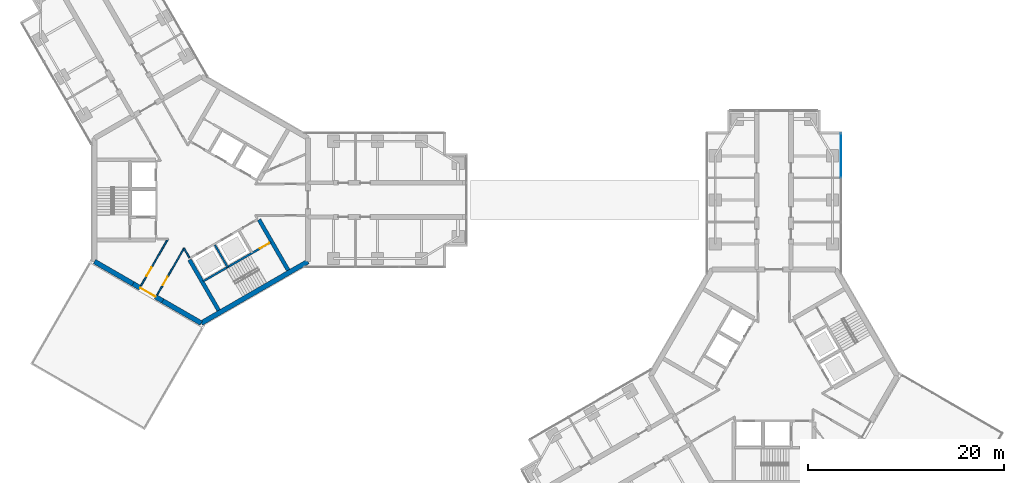
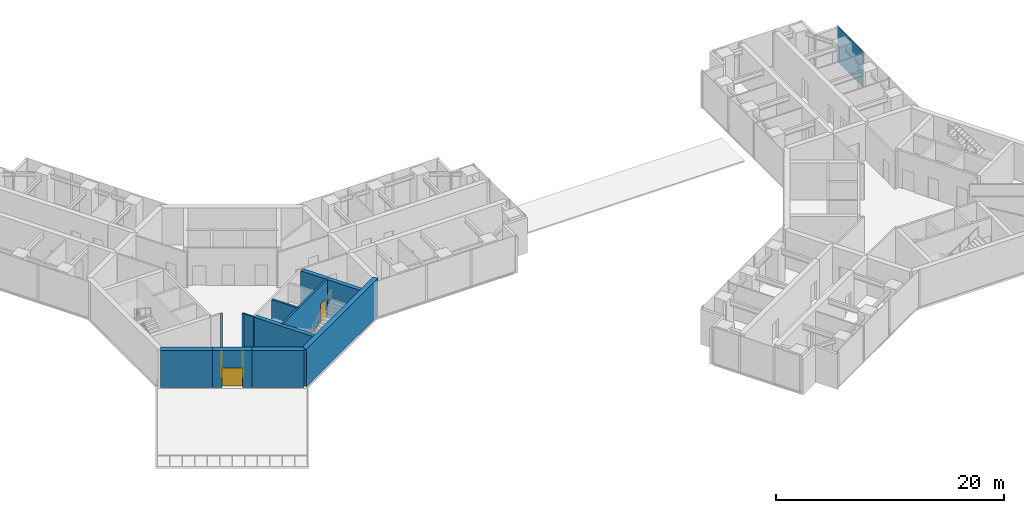
# One storey, part 11 of 18: 11 walls, 4 doors, 1 plate, 4 openings, 1 element without a shape of its own.
"""IFC4 building model written with IfcOpenShell, lengths in metres."""

from ifc_helpers import new_model, si_unit, direction, frame, frame_2d, origin, origin_2d, place, context, subcontext, project, spatial, rectangle, extrude, material, layer, layer_set, type_object, element, fill, aggregate, save


model = new_model("IFC4")

# Units and contexts
model_context = context("Model", 3, precision=1e-05, world=origin(), true_north=direction((0.0, 1.0)))
body_context = subcontext(model_context, "Body", "Model", "MODEL_VIEW")
ifc_project = project(units=[si_unit("LENGTHUNIT", "METRE"), si_unit("AREAUNIT", "SQUARE_METRE"), si_unit("VOLUMEUNIT", "CUBIC_METRE"), si_unit("PLANEANGLEUNIT", "RADIAN"), si_unit("MASSUNIT", "GRAM", prefix="KILO")], contexts=[model_context])

# Site, building, storey
site_placement = place(None, origin())
site = spatial("IfcSite", under=ifc_project, at=site_placement, CompositionType="ELEMENT")
building_placement = place(site_placement, origin())
building = spatial("IfcBuilding", under=site, at=building_placement, Name="Upepo Twin Towers", CompositionType="ELEMENT")
storey_placement = place(building_placement, frame((0.0, 0.0, 170.5)))
storey = spatial("IfcBuildingStorey", under=building, at=storey_placement, Name="L41", CompositionType="ELEMENT", Elevation=170.5)

# Curtain wall, plate
ifc_material_1 = material(Name="Aluminium and fritted glass", Category="aluminium")
curtain_wall_type = type_object("IfcCurtainWallType", Name="Tower curtain wall TW3, fritted glass", PredefinedType="NOTDEFINED", material=ifc_material_1)
curtain_wall_placement = place(storey_placement, origin())
curtain_wall = element("IfcCurtainWall", 1, at=curtain_wall_placement, inside=storey, type_object=curtain_wall_type, Name="T2 L41 wing A flank R curtain wall", PredefinedType="NOTDEFINED")
ifc_material_2 = material(Name="Ceramic-fritted laminated glass", Category="glass")
ifc_layer_1 = layer(ifc_material_2, 0.031982421875)
ifc_layer_set_1 = layer_set([ifc_layer_1], Name="Fritted glass panel, 45 per cent dot frit, 32 mm double glazed")
plate_type = type_object("IfcPlateType", Name="Fritted glass panel, 45 per cent dot frit, 32 mm double glazed", PredefinedType="CURTAIN_PANEL", material=ifc_layer_set_1)
plate_placement = place(storey_placement, frame((65.35009765625, 4.53369140625, 0.14990234375), z_axis=(0.0, 0.0, 1.0), x_axis=(0.0, -1.0, 0.0)))
plate = element("IfcPlate", 2, at=plate_placement, type_object=plate_type, Name="T2 L41 wing A flank R curtain wall panel 1", PredefinedType="CURTAIN_PANEL", context=body_context, shape_type="SweptSolid", body=[
    extrude(rectangle(XDim=4.50244140625, YDim=0.031982421875, at=origin_2d()), origin(), (0.0, 0.0, 1.0), 3.85009765625),
])
aggregate(curtain_wall, [plate])

# Wall
ifc_material_3 = material(Name="Concrete C60/75", Category="concrete")
ifc_layer_2 = layer(ifc_material_3, 0.5)
ifc_layer_set_2 = layer_set([ifc_layer_2], Name="Concrete C60/75")
wall_type_1 = type_object("IfcWallType", Name="Core wall 500 RC", PredefinedType="SHEAR", material=ifc_layer_set_2)
wall_1_placement = place(storey_placement, frame((-10.908447265625, -6.2978515625, 0.0), z_axis=(0.0, 0.0, 1.0), x_axis=(0.866034513004, -0.499984222037, 0.0)))
element("IfcWall", 3, at=wall_1_placement, inside=storey, type_object=wall_type_1, Name="T1 core wall 240 R", PredefinedType="SHEAR", context=body_context, shape_type="SweptSolid", body=[
    extrude(rectangle(XDim=4.548095703125, YDim=0.5, at=frame_2d((2.27392578125, 0.0))), origin(), (0.0, 0.0, 1.0), 4.0),
])

# Wall, opening, door
wall_2_placement = place(storey_placement, frame((-6.9697265625, -8.57177734375, 0.0), z_axis=(0.0, 0.0, 1.0), x_axis=(0.866019471182, -0.500010275428, 0.0)))
wall_2 = element("IfcWall", 4, at=wall_2_placement, inside=storey, type_object=wall_type_1, Name="T1 core wall 240", PredefinedType="SHEAR", context=body_context, shape_type="SweptSolid", body=[
    extrude(rectangle(XDim=3.5, YDim=0.5, at=frame_2d((1.75, 0.0))), origin(), (0.0, 0.0, 1.0), 4.0),
])
opening_1_placement = place(wall_2_placement, frame((0.85009765625, 0.0, 0.0)))
opening_1 = element("IfcOpeningElement", 5, at=opening_1_placement, cuts=wall_2, Name="Opening D2", PredefinedType="OPENING", context=body_context, shape_type="SweptSolid", body=[
    extrude(rectangle(XDim=1.800048828125, YDim=2.10009765625, at=frame_2d((0.89990234375, 1.050048828125))), frame((0.0, 0.260009765625, 0.0), z_axis=(0.0, -1.0, 0.0), x_axis=(1.0, 0.0, 0.0)), (0.0, 0.0, 1.0), 0.52001953125),
])
ifc_material_4 = material(Name="Timber doorset", Category="wood")
door_type_1 = type_object("IfcDoorType", Name="Corridor double door 1800 FD60", OperationType="DOUBLE_DOOR_DOUBLE_SWING", PredefinedType="DOOR", material=ifc_material_4)
door_1_placement = place(opening_1_placement, origin())
door_1 = element("IfcDoor", 6, at=door_1_placement, inside=storey, type_object=door_type_1, Name="T1 L41 sky terrace door", OperationType="DOUBLE_DOOR_DOUBLE_SWING", OverallHeight=2.10009765625, OverallWidth=1.800048828125, PredefinedType="DOOR", context=body_context, shape_type="SweptSolid", body=[
    extrude(rectangle(XDim=1.800048828125, YDim=2.10009765625, at=frame_2d((0.89990234375, 1.050048828125))), frame((0.0, 0.02490234375, 0.0), z_axis=(0.0, -1.0, 0.0), x_axis=(1.0, 0.0, 0.0)), (0.0, 0.0, 1.0), 0.050048828125),
])
fill(opening_1, door_1)

# Walls
wall_3_placement = place(storey_placement, frame((-3.938720703125, -10.32177734375, 0.0), z_axis=(0.0, 0.0, 1.0), x_axis=(0.866011268655, -0.500024481964, 0.0)))
element("IfcWall", 7, at=wall_3_placement, inside=storey, type_object=wall_type_1, Name="T1 core wall 240 L", PredefinedType="SHEAR", context=body_context, shape_type="SweptSolid", body=[
    extrude(rectangle(XDim=4.548095703125, YDim=0.5, at=frame_2d((2.27392578125, 0.0))), origin(), (0.0, 0.0, 1.0), 4.0),
])
wall_4_placement = place(storey_placement, frame((0.0, -12.595947265625, 0.0), z_axis=(0.0, 0.0, 1.0), x_axis=(0.866021940709, 0.500005998175, 0.0)))
element("IfcWall", 8, at=wall_4_placement, inside=storey, type_object=wall_type_1, Name="T1 core wall 300", PredefinedType="SHEAR", context=body_context, shape_type="SweptSolid", body=[
    extrude(rectangle(XDim=12.595947265625, YDim=0.5, at=frame_2d((6.2978515625, 0.0))), origin(), (0.0, 0.0, 1.0), 4.0),
])
ifc_material_5 = material(Name="Concrete C40/50", Category="concrete")
ifc_layer_3 = layer(ifc_material_5, 0.199951171875)
ifc_layer_set_3 = layer_set([ifc_layer_3], Name="Concrete C40/50")
wall_type_2 = type_object("IfcWallType", Name="Shaft wall 200 RC", PredefinedType="SHEAR", material=ifc_layer_set_3)
wall_5_placement = place(storey_placement, frame((1.3974609375, -4.620361328125, 0.0), z_axis=(0.0, 0.0, 1.0), x_axis=(0.499936506574, -0.866062058628, 0.0)))
element("IfcWall", 9, at=wall_5_placement, inside=storey, type_object=wall_type_2, Name="T1 core W300 shaft divider", PredefinedType="SHEAR", context=body_context, shape_type="SweptSolid", body=[
    extrude(rectangle(XDim=2.599853515625, YDim=0.199951171875, at=frame_2d((1.2998046875, 0.0))), origin(), (0.0, 0.0, 1.0), 4.0),
])

# Wall, opening, door
wall_6_placement = place(storey_placement, frame((0.185791015625, -8.322021484375, 0.0), z_axis=(0.0, 0.0, 1.0), x_axis=(0.866026010844, 0.49999894854, 0.0)))
wall_6 = element("IfcWall", 10, at=wall_6_placement, inside=storey, type_object=wall_type_2, Name="T1 core W300 stair wall", PredefinedType="SHEAR", context=body_context, shape_type="SweptSolid", body=[
    extrude(rectangle(XDim=8.0, YDim=0.199951171875, at=frame_2d((4.0, 0.0))), origin(), (0.0, 0.0, 1.0), 4.0),
])
opening_2_placement = place(wall_6_placement, frame((6.699951171875, 0.0, 0.0)))
opening_2 = element("IfcOpeningElement", 11, at=opening_2_placement, cuts=wall_6, Name="Opening D3", PredefinedType="OPENING", context=body_context, shape_type="SweptSolid", body=[
    extrude(rectangle(XDim=1.10009765625, YDim=2.10009765625, at=frame_2d((0.550048828125, 1.050048828125))), frame((0.0, 0.10986328125, 0.0), z_axis=(0.0, -1.0, 0.0), x_axis=(1.0, 0.0, 0.0)), (0.0, 0.0, 1.0), 0.219970703125),
])
ifc_material_6 = material(Name="Timber doorset", Category="wood")
door_type_2 = type_object("IfcDoorType", Name="Stair door 1100 FD60", OperationType="SINGLE_SWING_LEFT", PredefinedType="DOOR", material=ifc_material_6)
door_2_placement = place(opening_2_placement, origin())
door_2 = element("IfcDoor", 12, at=door_2_placement, inside=storey, type_object=door_type_2, Name="T1 L41 stair door", OperationType="SINGLE_SWING_RIGHT", OverallHeight=2.10009765625, OverallWidth=1.10009765625, PredefinedType="DOOR", context=body_context, shape_type="SweptSolid", body=[
    extrude(rectangle(XDim=1.10009765625, YDim=2.10009765625, at=frame_2d((0.550048828125, 1.050048828125))), frame((0.0, 0.02490234375, 0.0), z_axis=(0.0, -1.0, 0.0), x_axis=(1.0, 0.0, 0.0)), (0.0, 0.0, 1.0), 0.050048828125),
])
fill(opening_2, door_2)

# Walls
ifc_material_7 = material(Name="Concrete C40/50", Category="concrete")
ifc_layer_4 = layer(ifc_material_7, 0.39990234375)
ifc_layer_set_4 = layer_set([ifc_layer_4], Name="Concrete C40/50")
wall_type_3 = type_object("IfcWallType", Name="Shaft wall 400 RC", PredefinedType="SHEAR", material=ifc_layer_set_4)
wall_7_placement = place(storey_placement, frame((5.900634765625, -2.020263671875, 0.0), z_axis=(0.0, 0.0, 1.0), x_axis=(0.500003832394, -0.86602319114, 0.0)))
element("IfcWall", 13, at=wall_7_placement, inside=storey, type_object=wall_type_3, Name="T1 core W300 side wall N", PredefinedType="SHEAR", context=body_context, shape_type="SweptSolid", body=[
    extrude(rectangle(XDim=5.95849609375, YDim=0.39990234375, at=frame_2d((2.979248046875, 0.0))), origin(), (0.0, 0.0, 1.0), 4.0),
])
wall_8_placement = place(storey_placement, frame((-1.20068359375, -6.120361328125, 0.0), z_axis=(0.0, 0.0, 1.0), x_axis=(0.500021575205, -0.866012946976, 0.0)))
element("IfcWall", 14, at=wall_8_placement, inside=storey, type_object=wall_type_3, Name="T1 core W300 side wall S", PredefinedType="SHEAR", context=body_context, shape_type="SweptSolid", body=[
    extrude(rectangle(XDim=5.958251953125, YDim=0.39990234375, at=frame_2d((2.97900390625, 0.0))), origin(), (0.0, 0.0, 1.0), 4.0),
])
ifc_material_8 = material(Name="Gypsum board on steel studs", Category="steel")
ifc_layer_5 = layer(ifc_material_8, 0.14990234375)
ifc_layer_set_5 = layer_set([ifc_layer_5], Name="Teaching partition 150 acoustic")
wall_type_4 = type_object("IfcWallType", Name="Teaching partition 150 acoustic", PredefinedType="PARTITIONING", material=ifc_layer_set_5)
wall_9_placement = place(storey_placement, frame((-1.208984375, -5.90576171875, 0.0), z_axis=(0.0, 0.0, 1.0), x_axis=(-0.500111091428, 0.865961255618, 0.0)))
element("IfcWall", 15, at=wall_9_placement, inside=storey, type_object=wall_type_4, Name="T1 core room partition 1", PredefinedType="PARTITIONING", context=body_context, shape_type="SweptSolid", body=[
    extrude(rectangle(XDim=1.123779296875, YDim=0.14990234375, at=frame_2d((0.56201171875, 0.0))), origin(), (0.0, 0.0, 1.0), 3.800048828125),
])

# Wall, opening, door
wall_10_placement = place(storey_placement, frame((-1.7509765625, -4.9326171875, 0.0), z_axis=(0.0, 0.0, 1.0), x_axis=(-0.499986567624, -0.866033158832, 0.0)))
wall_10 = element("IfcWall", 16, at=wall_10_placement, inside=storey, type_object=wall_type_4, Name="T1 core room partition 2", PredefinedType="PARTITIONING", context=body_context, shape_type="SweptSolid", body=[
    extrude(rectangle(XDim=5.521240234375, YDim=0.14990234375, at=frame_2d((2.7607421875, 0.0))), origin(), (0.0, 0.0, 1.0), 3.800048828125),
])
opening_3_placement = place(wall_10_placement, frame((3.370849609375, 0.0, 0.0)))
opening_3 = element("IfcOpeningElement", 17, at=opening_3_placement, cuts=wall_10, Name="Opening D1", PredefinedType="OPENING", context=body_context, shape_type="SweptSolid", body=[
    extrude(rectangle(XDim=1.0, YDim=2.10009765625, at=frame_2d((0.5, 1.050048828125))), frame((0.0, 0.0849609375, 0.0), z_axis=(0.0, -1.0, 0.0), x_axis=(1.0, 0.0, 0.0)), (0.0, 0.0, 1.0), 0.169921875),
])
ifc_material_9 = material(Name="Timber doorset", Category="wood")
door_type_3 = type_object("IfcDoorType", Name="Room door 1000 FD30", OperationType="SINGLE_SWING_LEFT", PredefinedType="DOOR", material=ifc_material_9)
door_3_placement = place(opening_3_placement, origin())
door_3 = element("IfcDoor", 18, at=door_3_placement, inside=storey, type_object=door_type_3, Name="T1 L41 core room door K2", OperationType="SINGLE_SWING_RIGHT", OverallHeight=2.10009765625, OverallWidth=1.0, PredefinedType="DOOR", context=body_context, shape_type="SweptSolid", body=[
    extrude(rectangle(XDim=1.0, YDim=2.10009765625, at=frame_2d((0.5, 1.050048828125))), frame((0.0, 0.02490234375, 0.0), z_axis=(0.0, -1.0, 0.0), x_axis=(1.0, 0.0, 0.0)), (0.0, 0.0, 1.0), 0.050048828125),
])
fill(opening_3, door_3)

wall_11_placement = place(storey_placement, frame((-6.156982421875, -8.763916015625, 0.0), z_axis=(0.0, 0.0, 1.0), x_axis=(0.50000571537, 0.866022103989, 0.0)))
wall_11 = element("IfcWall", 19, at=wall_11_placement, inside=storey, type_object=wall_type_4, Name="T1 core room partition 3", PredefinedType="PARTITIONING", context=body_context, shape_type="SweptSolid", body=[
    extrude(rectangle(XDim=5.52099609375, YDim=0.14990234375, at=frame_2d((2.760498046875, 0.0))), origin(), (0.0, 0.0, 1.0), 3.800048828125),
])
opening_4_placement = place(wall_11_placement, frame((1.150146484375, 0.0, 0.0)))
opening_4 = element("IfcOpeningElement", 20, at=opening_4_placement, cuts=wall_11, Name="Opening D1", PredefinedType="OPENING", context=body_context, shape_type="SweptSolid", body=[
    extrude(rectangle(XDim=1.0, YDim=2.10009765625, at=frame_2d((0.5, 1.050048828125))), frame((0.0, 0.0849609375, 0.0), z_axis=(0.0, -1.0, 0.0), x_axis=(1.0, 0.0, 0.0)), (0.0, 0.0, 1.0), 0.169921875),
])
door_4_placement = place(opening_4_placement, origin())
door_4 = element("IfcDoor", 21, at=door_4_placement, inside=storey, type_object=door_type_3, Name="T1 L41 core room door K1", OperationType="SINGLE_SWING_LEFT", OverallHeight=2.10009765625, OverallWidth=1.0, PredefinedType="DOOR", context=body_context, shape_type="SweptSolid", body=[
    extrude(rectangle(XDim=1.0, YDim=2.10009765625, at=frame_2d((0.5, 1.050048828125))), frame((0.0, 0.02490234375, 0.0), z_axis=(0.0, -1.0, 0.0), x_axis=(1.0, 0.0, 0.0)), (0.0, 0.0, 1.0), 0.050048828125),
])
fill(opening_4, door_4)

save(model, "model.ifc")
